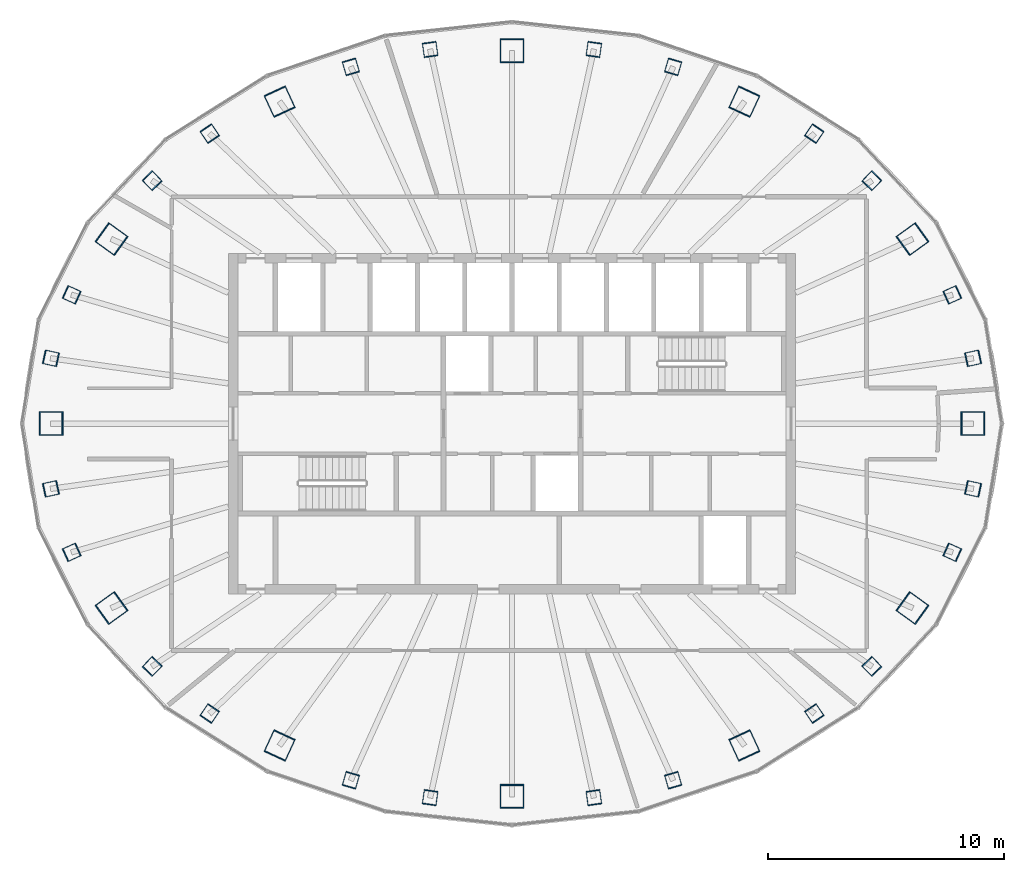
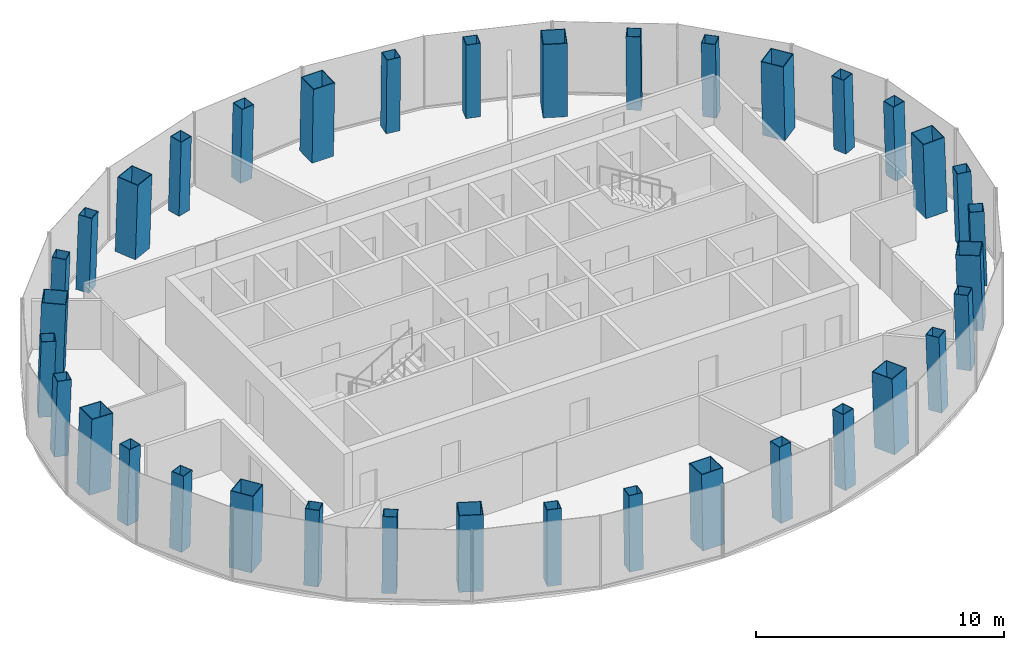
# One storey, part 1 of 11: 36 columns.
"""IFC4 building model written with IfcOpenShell, lengths in metres."""

from ifc_helpers import new_model, si_unit, direction, frame, origin, origin_2d, place, context, subcontext, project, spatial, hollow_rectangle, extrude, material, material_profile, profile_set, type_object, element, save


model = new_model("IFC4")

# Units and contexts
model_context = context("Model", 3, precision=1e-05, world=origin(), true_north=direction((0.0, 1.0)))
body_context = subcontext(model_context, "Body", "Model", "MODEL_VIEW")
ifc_project = project(units=[si_unit("LENGTHUNIT", "METRE"), si_unit("AREAUNIT", "SQUARE_METRE"), si_unit("VOLUMEUNIT", "CUBIC_METRE"), si_unit("PLANEANGLEUNIT", "RADIAN"), si_unit("MASSUNIT", "GRAM", prefix="KILO")], contexts=[model_context])

# Site, building, storey
site_placement = place(None, origin())
site = spatial("IfcSite", under=ifc_project, at=site_placement, CompositionType="ELEMENT")
building_placement = place(site_placement, origin())
building = spatial("IfcBuilding", under=site, at=building_placement, Name="Siaravel Broadcast Tower", CompositionType="ELEMENT")
storey_placement = place(building_placement, frame((0.0, 0.0, 257.800048828125)))
storey = spatial("IfcBuildingStorey", under=building, at=storey_placement, Name="L63", CompositionType="ELEMENT", Elevation=257.800048828125)

# Columns
ifc_material_1 = material(Name="Concrete C70/85", Category="concrete")
ifc_material_profile_1 = material_profile(ifc_material_1, hollow_rectangle(XDim=1.0, YDim=1.0, WallThickness=0.031982421875, at=origin_2d()))
ifc_profile_set_1 = profile_set([ifc_material_profile_1], Name="Concrete C70/85")
column_type_1 = type_object("IfcColumnType", Name="COL-CFT BOX 1000x1000x32", PredefinedType="COLUMN", material=ifc_profile_set_1)
column_1_placement = place(storey_placement, frame((19.51953125, 0.0, 0.0), z_axis=(-0.034555398, 0.0, 0.999402784), x_axis=(0.0, -1.0, 0.0)))
element("IfcColumn", 1, at=column_1_placement, inside=storey, type_object=column_type_1, Name="Megacolumn MC01", PredefinedType="COLUMN", context=body_context, shape_type="SweptSolid", body=[
    extrude(hollow_rectangle(XDim=1.0, YDim=1.0, WallThickness=0.031982421875, at=origin_2d()), origin(), (0.0, 0.0, 1.0), 3.7021484375),
])
column_2_placement = place(storey_placement, frame((16.9580078125, 7.811279296875, 0.0), z_axis=(-0.029940667, -0.01417895, 0.999451106), x_axis=(0.584680163, -0.811241659, 0.006006456)))
element("IfcColumn", 2, at=column_2_placement, inside=storey, type_object=column_type_1, Name="Megacolumn MC02", PredefinedType="COLUMN", context=body_context, shape_type="SweptSolid", body=[
    extrude(hollow_rectangle(XDim=1.0, YDim=1.0, WallThickness=0.031982421875, at=origin_2d()), origin(), (0.0, 0.0, 1.0), 3.701904296875),
])
column_3_placement = place(storey_placement, frame((9.839599609375, 13.632568359375, 0.0), z_axis=(-0.017346173, -0.024535271, 0.999548463), x_axis=(0.908096357, -0.418725405, 0.00548093)))
element("IfcColumn", 3, at=column_3_placement, inside=storey, type_object=column_type_1, Name="Megacolumn MC03", PredefinedType="COLUMN", context=body_context, shape_type="SweptSolid", body=[
    extrude(hollow_rectangle(XDim=1.0, YDim=1.0, WallThickness=0.031982421875, at=origin_2d()), origin(), (0.0, 0.0, 1.0), 3.70166015625),
])
column_4_placement = place(storey_placement, frame((0.0, 15.789794921875, 0.0), z_axis=(0.0, -0.02836206, 0.999597716), x_axis=(1.0, 0.0, 0.0)))
element("IfcColumn", 4, at=column_4_placement, inside=storey, type_object=column_type_1, Name="Megacolumn MC04", PredefinedType="COLUMN", context=body_context, shape_type="SweptSolid", body=[
    extrude(hollow_rectangle(XDim=1.0, YDim=1.0, WallThickness=0.031982421875, at=origin_2d()), origin(), (0.0, 0.0, 1.0), 3.701416015625),
])
column_5_placement = place(storey_placement, frame((-9.839599609375, 13.632568359375, 0.0), z_axis=(0.017346173, -0.024535271, 0.999548463), x_axis=(0.908096357, 0.418725405, -0.00548093)))
element("IfcColumn", 5, at=column_5_placement, inside=storey, type_object=column_type_1, Name="Megacolumn MC05", PredefinedType="COLUMN", context=body_context, shape_type="SweptSolid", body=[
    extrude(hollow_rectangle(XDim=1.0, YDim=1.0, WallThickness=0.031982421875, at=origin_2d()), origin(), (0.0, 0.0, 1.0), 3.70166015625),
])
column_6_placement = place(storey_placement, frame((-16.9580078125, 7.811279296875, 0.0), z_axis=(0.029940667, -0.01417895, 0.999451106), x_axis=(0.584680163, 0.811241659, -0.006006456)))
element("IfcColumn", 6, at=column_6_placement, inside=storey, type_object=column_type_1, Name="Megacolumn MC06", PredefinedType="COLUMN", context=body_context, shape_type="SweptSolid", body=[
    extrude(hollow_rectangle(XDim=1.0, YDim=1.0, WallThickness=0.031982421875, at=origin_2d()), origin(), (0.0, 0.0, 1.0), 3.701904296875),
])
column_7_placement = place(storey_placement, frame((-19.51953125, 0.0, 0.0), z_axis=(0.034555398, 0.0, 0.999402784), x_axis=(0.0, 1.0, 0.0)))
element("IfcColumn", 7, at=column_7_placement, inside=storey, type_object=column_type_1, Name="Megacolumn MC07", PredefinedType="COLUMN", context=body_context, shape_type="SweptSolid", body=[
    extrude(hollow_rectangle(XDim=1.0, YDim=1.0, WallThickness=0.031982421875, at=origin_2d()), origin(), (0.0, 0.0, 1.0), 3.7021484375),
])
column_8_placement = place(storey_placement, frame((-16.9580078125, -7.811279296875, 0.0), z_axis=(0.029940667, 0.01417895, 0.999451106), x_axis=(-0.584680163, 0.811241659, 0.006006456)))
element("IfcColumn", 8, at=column_8_placement, inside=storey, type_object=column_type_1, Name="Megacolumn MC08", PredefinedType="COLUMN", context=body_context, shape_type="SweptSolid", body=[
    extrude(hollow_rectangle(XDim=1.0, YDim=1.0, WallThickness=0.031982421875, at=origin_2d()), origin(), (0.0, 0.0, 1.0), 3.701904296875),
])
column_9_placement = place(storey_placement, frame((-9.839599609375, -13.632568359375, 0.0), z_axis=(0.017346173, 0.024535271, 0.999548463), x_axis=(-0.908096357, 0.418725405, 0.00548093)))
element("IfcColumn", 9, at=column_9_placement, inside=storey, type_object=column_type_1, Name="Megacolumn MC09", PredefinedType="COLUMN", context=body_context, shape_type="SweptSolid", body=[
    extrude(hollow_rectangle(XDim=1.0, YDim=1.0, WallThickness=0.031982421875, at=origin_2d()), origin(), (0.0, 0.0, 1.0), 3.70166015625),
])
column_10_placement = place(storey_placement, frame((0.0, -15.789794921875, 0.0), z_axis=(0.0, 0.02836206, 0.999597716), x_axis=(-1.0, 0.0, 0.0)))
element("IfcColumn", 10, at=column_10_placement, inside=storey, type_object=column_type_1, Name="Megacolumn MC10", PredefinedType="COLUMN", context=body_context, shape_type="SweptSolid", body=[
    extrude(hollow_rectangle(XDim=1.0, YDim=1.0, WallThickness=0.031982421875, at=origin_2d()), origin(), (0.0, 0.0, 1.0), 3.701416015625),
])
column_11_placement = place(storey_placement, frame((9.839599609375, -13.632568359375, 0.0), z_axis=(-0.017346173, 0.024535271, 0.999548463), x_axis=(-0.908096357, -0.418725405, -0.00548093)))
element("IfcColumn", 11, at=column_11_placement, inside=storey, type_object=column_type_1, Name="Megacolumn MC11", PredefinedType="COLUMN", context=body_context, shape_type="SweptSolid", body=[
    extrude(hollow_rectangle(XDim=1.0, YDim=1.0, WallThickness=0.031982421875, at=origin_2d()), origin(), (0.0, 0.0, 1.0), 3.70166015625),
])
column_12_placement = place(storey_placement, frame((16.9580078125, -7.811279296875, 0.0), z_axis=(-0.029940667, 0.01417895, 0.999451106), x_axis=(-0.584680163, -0.811241659, -0.006006456)))
element("IfcColumn", 12, at=column_12_placement, inside=storey, type_object=column_type_1, Name="Megacolumn MC12", PredefinedType="COLUMN", context=body_context, shape_type="SweptSolid", body=[
    extrude(hollow_rectangle(XDim=1.0, YDim=1.0, WallThickness=0.031982421875, at=origin_2d()), origin(), (0.0, 0.0, 1.0), 3.701904296875),
])
ifc_material_2 = material(Name="Concrete C50/60", Category="concrete")
ifc_material_profile_2 = material_profile(ifc_material_2, hollow_rectangle(XDim=0.60009765625, YDim=0.60009765625, WallThickness=0.02490234375, at=origin_2d()))
ifc_profile_set_2 = profile_set([ifc_material_profile_2], Name="Concrete C50/60")
column_type_2 = type_object("IfcColumnType", Name="COL-CFT BOX 600x600x25", PredefinedType="COLUMN", material=ifc_profile_set_2)
for number, where, z_axis, x_axis, name in (
    (13, (19.5244140625, 2.764404296875, 0.0), (-0.034093914, -0.00487998, 0.999406719), (0.211873417, -0.977294031, 0.002455876), "Perimeter column C01"),
    (14, (18.64501953125, 5.451904296875, 0.0), (-0.032511791, -0.009694185, 0.999424337), (0.41084003, -0.911696235, 0.004521596), "Perimeter column C02"),
):
    element("IfcColumn", number, at=place(storey_placement, frame(where, z_axis=z_axis, x_axis=x_axis)), inside=storey, type_object=column_type_2, Name=name, PredefinedType="COLUMN", context=body_context, shape_type="SweptSolid", body=[
        extrude(hollow_rectangle(XDim=0.60009765625, YDim=0.60009765625, WallThickness=0.02490234375, at=origin_2d()), origin(), (0.0, 0.0, 1.0), 3.7021484375),
    ])
column_13_placement = place(storey_placement, frame((15.23681640625, 10.2841796875, 0.0), z_axis=(-0.026512179, -0.018202391, 0.999482755), x_axis=(0.721011797, -0.692892237, 0.006506663)))
element("IfcColumn", 15, at=column_13_placement, inside=storey, type_object=column_type_2, Name="Perimeter column C03", PredefinedType="COLUMN", context=body_context, shape_type="SweptSolid", body=[
    extrude(hollow_rectangle(XDim=0.60009765625, YDim=0.60009765625, WallThickness=0.02490234375, at=origin_2d()), origin(), (0.0, 0.0, 1.0), 3.701904296875),
])
column_14_placement = place(storey_placement, frame((12.80078125, 12.279052734375, 0.0), z_axis=(-0.022226156, -0.021698532, 0.999517469), x_axis=(0.828994891, -0.559220757, 0.006294137)))
element("IfcColumn", 16, at=column_14_placement, inside=storey, type_object=column_type_2, Name="Perimeter column C04", PredefinedType="COLUMN", context=body_context, shape_type="SweptSolid", body=[
    extrude(hollow_rectangle(XDim=0.60009765625, YDim=0.60009765625, WallThickness=0.02490234375, at=origin_2d()), origin(), (0.0, 0.0, 1.0), 3.70166015625),
])
for number, where, z_axis, x_axis, name in (
    (17, (6.82373046875, 15.1044921875, 0.0), (-0.011806287, -0.026580634, 0.999576951), (0.960083953, -0.279684777, 0.003902479), "Perimeter column C05"),
    (18, (3.46630859375, 15.84130859375, 0.0), (-0.006002173, -0.027900212, 0.999592693), (0.99022057, -0.139495561, 0.002052356), "Perimeter column C06"),
    (19, (-3.46630859375, 15.84130859375, 0.0), (0.006002173, -0.027900212, 0.999592693), (0.99022057, 0.139495561, -0.002052356), "Perimeter column C07"),
    (20, (-6.82373046875, 15.1044921875, 0.0), (0.011806287, -0.026580634, 0.999576951), (0.960083953, 0.279684777, -0.003902479), "Perimeter column C08"),
):
    element("IfcColumn", number, at=place(storey_placement, frame(where, z_axis=z_axis, x_axis=x_axis)), inside=storey, type_object=column_type_2, Name=name, PredefinedType="COLUMN", context=body_context, shape_type="SweptSolid", body=[
        extrude(hollow_rectangle(XDim=0.60009765625, YDim=0.60009765625, WallThickness=0.02490234375, at=origin_2d()), origin(), (0.0, 0.0, 1.0), 3.701416015625),
    ])
column_15_placement = place(storey_placement, frame((-12.80078125, 12.279052734375, 0.0), z_axis=(0.022226156, -0.021698532, 0.999517469), x_axis=(0.828994891, 0.559220757, -0.006294137)))
element("IfcColumn", 21, at=column_15_placement, inside=storey, type_object=column_type_2, Name="Perimeter column C09", PredefinedType="COLUMN", context=body_context, shape_type="SweptSolid", body=[
    extrude(hollow_rectangle(XDim=0.60009765625, YDim=0.60009765625, WallThickness=0.02490234375, at=origin_2d()), origin(), (0.0, 0.0, 1.0), 3.70166015625),
])
column_16_placement = place(storey_placement, frame((-15.23681640625, 10.2841796875, 0.0), z_axis=(0.026512179, -0.018202391, 0.999482755), x_axis=(0.721011797, 0.692892237, -0.006506663)))
element("IfcColumn", 22, at=column_16_placement, inside=storey, type_object=column_type_2, Name="Perimeter column C10", PredefinedType="COLUMN", context=body_context, shape_type="SweptSolid", body=[
    extrude(hollow_rectangle(XDim=0.60009765625, YDim=0.60009765625, WallThickness=0.02490234375, at=origin_2d()), origin(), (0.0, 0.0, 1.0), 3.701904296875),
])
for number, where, z_axis, x_axis, name in (
    (23, (-18.64501953125, 5.451904296875, 0.0), (0.032511791, -0.009694185, 0.999424337), (0.41084003, 0.911696235, -0.004521596), "Perimeter column C11"),
    (24, (-19.5244140625, 2.764404296875, 0.0), (0.034093914, -0.00487998, 0.999406719), (0.211873417, 0.977294031, -0.002455876), "Perimeter column C12"),
    (25, (-19.5244140625, -2.764404296875, 0.0), (0.034093914, 0.00487998, 0.999406719), (-0.211873417, 0.977294031, 0.002455876), "Perimeter column C13"),
    (26, (-18.64501953125, -5.451904296875, 0.0), (0.032511791, 0.009694185, 0.999424337), (-0.41084003, 0.911696235, 0.004521596), "Perimeter column C14"),
):
    element("IfcColumn", number, at=place(storey_placement, frame(where, z_axis=z_axis, x_axis=x_axis)), inside=storey, type_object=column_type_2, Name=name, PredefinedType="COLUMN", context=body_context, shape_type="SweptSolid", body=[
        extrude(hollow_rectangle(XDim=0.60009765625, YDim=0.60009765625, WallThickness=0.02490234375, at=origin_2d()), origin(), (0.0, 0.0, 1.0), 3.7021484375),
    ])
column_17_placement = place(storey_placement, frame((-15.23681640625, -10.2841796875, 0.0), z_axis=(0.026512179, 0.018202391, 0.999482755), x_axis=(-0.721011797, 0.692892237, 0.006506663)))
element("IfcColumn", 27, at=column_17_placement, inside=storey, type_object=column_type_2, Name="Perimeter column C15", PredefinedType="COLUMN", context=body_context, shape_type="SweptSolid", body=[
    extrude(hollow_rectangle(XDim=0.60009765625, YDim=0.60009765625, WallThickness=0.02490234375, at=origin_2d()), origin(), (0.0, 0.0, 1.0), 3.701904296875),
])
column_18_placement = place(storey_placement, frame((-12.80078125, -12.279052734375, 0.0), z_axis=(0.022226156, 0.021698532, 0.999517469), x_axis=(-0.828994891, 0.559220757, 0.006294137)))
element("IfcColumn", 28, at=column_18_placement, inside=storey, type_object=column_type_2, Name="Perimeter column C16", PredefinedType="COLUMN", context=body_context, shape_type="SweptSolid", body=[
    extrude(hollow_rectangle(XDim=0.60009765625, YDim=0.60009765625, WallThickness=0.02490234375, at=origin_2d()), origin(), (0.0, 0.0, 1.0), 3.70166015625),
])
for number, where, z_axis, x_axis, name in (
    (29, (-6.82373046875, -15.1044921875, 0.0), (0.011806287, 0.026580634, 0.999576951), (-0.960083953, 0.279684777, 0.003902479), "Perimeter column C17"),
    (30, (-3.46630859375, -15.84130859375, 0.0), (0.006002173, 0.027900212, 0.999592693), (-0.99022057, 0.139495561, 0.002052356), "Perimeter column C18"),
    (31, (3.46630859375, -15.84130859375, 0.0), (-0.006002173, 0.027900212, 0.999592693), (-0.99022057, -0.139495561, -0.002052356), "Perimeter column C19"),
    (32, (6.82373046875, -15.1044921875, 0.0), (-0.011806287, 0.026580634, 0.999576951), (-0.960083953, -0.279684777, -0.003902479), "Perimeter column C20"),
):
    element("IfcColumn", number, at=place(storey_placement, frame(where, z_axis=z_axis, x_axis=x_axis)), inside=storey, type_object=column_type_2, Name=name, PredefinedType="COLUMN", context=body_context, shape_type="SweptSolid", body=[
        extrude(hollow_rectangle(XDim=0.60009765625, YDim=0.60009765625, WallThickness=0.02490234375, at=origin_2d()), origin(), (0.0, 0.0, 1.0), 3.701416015625),
    ])
column_19_placement = place(storey_placement, frame((12.80078125, -12.279052734375, 0.0), z_axis=(-0.022226156, 0.021698532, 0.999517469), x_axis=(-0.828994891, -0.559220757, -0.006294137)))
element("IfcColumn", 33, at=column_19_placement, inside=storey, type_object=column_type_2, Name="Perimeter column C21", PredefinedType="COLUMN", context=body_context, shape_type="SweptSolid", body=[
    extrude(hollow_rectangle(XDim=0.60009765625, YDim=0.60009765625, WallThickness=0.02490234375, at=origin_2d()), origin(), (0.0, 0.0, 1.0), 3.70166015625),
])
column_20_placement = place(storey_placement, frame((15.23681640625, -10.2841796875, 0.0), z_axis=(-0.026512179, 0.018202391, 0.999482755), x_axis=(-0.721011797, -0.692892237, -0.006506663)))
element("IfcColumn", 34, at=column_20_placement, inside=storey, type_object=column_type_2, Name="Perimeter column C22", PredefinedType="COLUMN", context=body_context, shape_type="SweptSolid", body=[
    extrude(hollow_rectangle(XDim=0.60009765625, YDim=0.60009765625, WallThickness=0.02490234375, at=origin_2d()), origin(), (0.0, 0.0, 1.0), 3.701904296875),
])
for number, where, z_axis, x_axis, name in (
    (35, (18.64501953125, -5.451904296875, 0.0), (-0.032511791, 0.009694185, 0.999424337), (-0.41084003, -0.911696235, -0.004521596), "Perimeter column C23"),
    (36, (19.5244140625, -2.764404296875, 0.0), (-0.034093914, 0.00487998, 0.999406719), (-0.211873417, -0.977294031, -0.002455876), "Perimeter column C24"),
):
    element("IfcColumn", number, at=place(storey_placement, frame(where, z_axis=z_axis, x_axis=x_axis)), inside=storey, type_object=column_type_2, Name=name, PredefinedType="COLUMN", context=body_context, shape_type="SweptSolid", body=[
        extrude(hollow_rectangle(XDim=0.60009765625, YDim=0.60009765625, WallThickness=0.02490234375, at=origin_2d()), origin(), (0.0, 0.0, 1.0), 3.7021484375),
    ])

save(model, "model.ifc")
